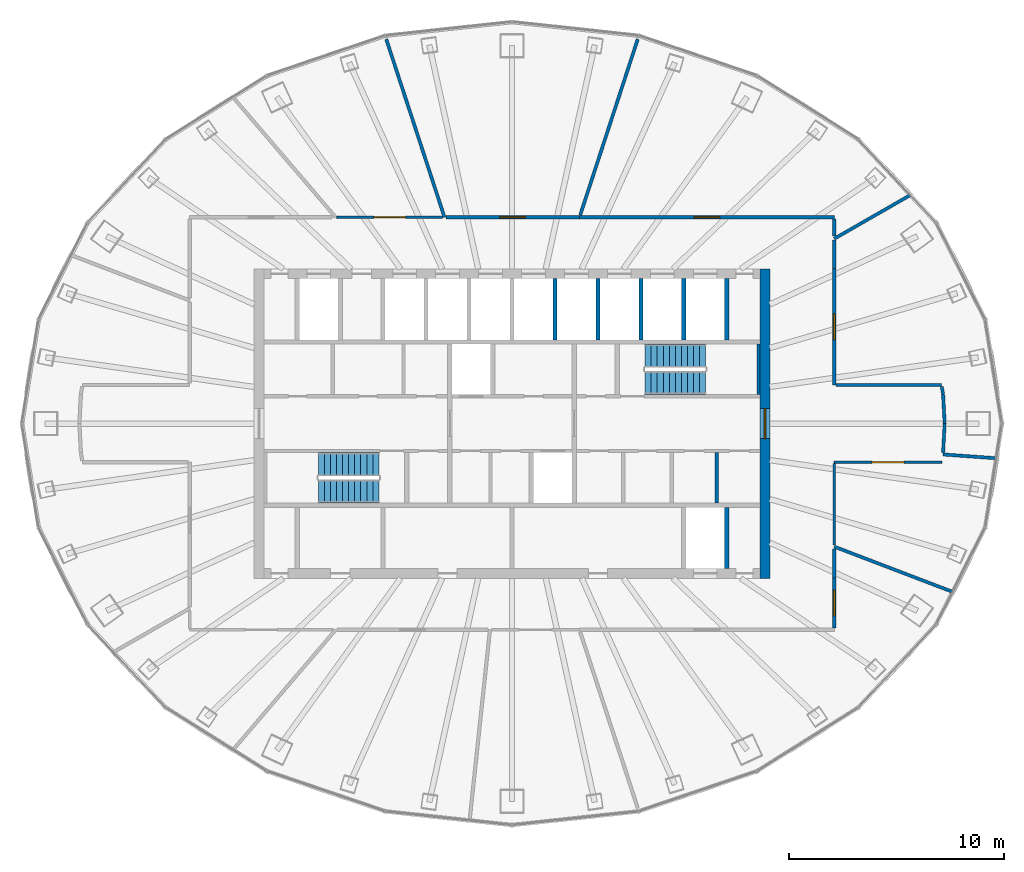
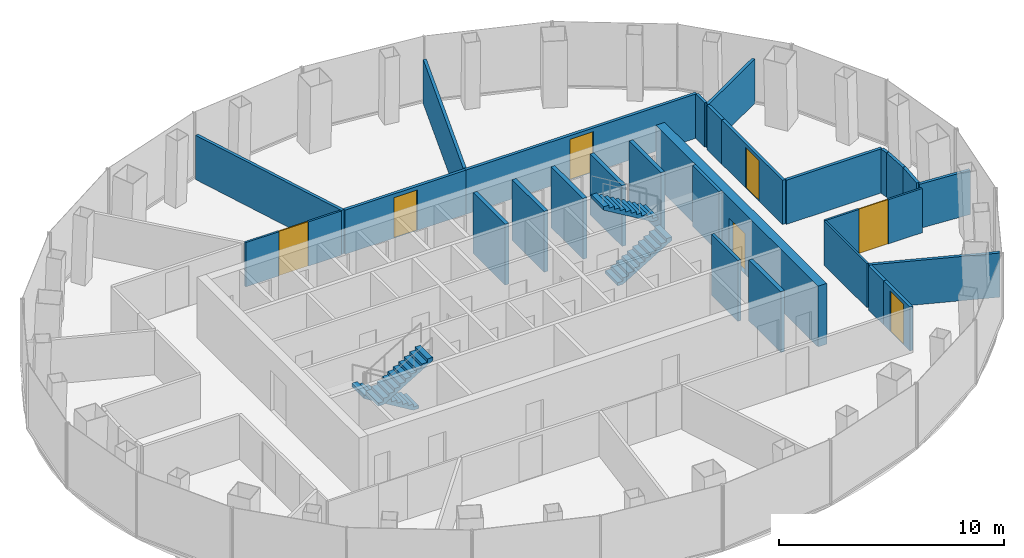
# One storey, part 10 of 11: 28 walls, 7 doors, 4 stair flights, 7 openings, 2 elements without a shape of their own.
"""IFC4 building model written with IfcOpenShell, lengths in metres."""

from ifc_helpers import new_model, si_unit, direction, frame, frame_2d, origin, place, context, subcontext, project, spatial, polyline, rectangle, outline, extrude, material, layer, layer_set, type_object, element, fill, aggregate, save


model = new_model("IFC4")

# Units and contexts
model_context = context("Model", 3, precision=1e-05, world=origin(), true_north=direction((0.0, 1.0)))
body_context = subcontext(model_context, "Body", "Model", "MODEL_VIEW")
ifc_project = project(units=[si_unit("LENGTHUNIT", "METRE"), si_unit("AREAUNIT", "SQUARE_METRE"), si_unit("VOLUMEUNIT", "CUBIC_METRE"), si_unit("PLANEANGLEUNIT", "RADIAN"), si_unit("MASSUNIT", "GRAM", prefix="KILO")], contexts=[model_context])

# Site, building, storey
site_placement = place(None, origin())
site = spatial("IfcSite", under=ifc_project, at=site_placement, CompositionType="ELEMENT")
building_placement = place(site_placement, origin())
building = spatial("IfcBuilding", under=site, at=building_placement, Name="Siaravel Broadcast Tower", CompositionType="ELEMENT")
storey_placement = place(building_placement, frame((0.0, 0.0, 194.10009765625)))
storey = spatial("IfcBuildingStorey", under=building, at=storey_placement, Name="L47", CompositionType="ELEMENT", Elevation=194.10009765625)

# Wall
ifc_material_1 = material(Name="Concrete blockwork", Category="masonry")
ifc_layer_1 = layer(ifc_material_1, 0.14990234375)
ifc_layer_set_1 = layer_set([ifc_layer_1], Name="Concrete blockwork")
wall_type_1 = type_object("IfcWallType", Name="Core partition 150", PredefinedType="PARTITIONING", material=ifc_layer_set_1)
wall_1_placement = place(storey_placement, frame((9.531005859375, -3.699951171875, 0.0), z_axis=(0.0, 0.0, 1.0), x_axis=(0.0, 1.0, 0.0)))
element("IfcWall", 1, at=wall_1_placement, inside=storey, type_object=wall_type_1, Name="L47 core partition PSE2", PredefinedType="PARTITIONING", context=body_context, shape_type="SweptSolid", body=[
    extrude(rectangle(XDim=2.349853515625, YDim=0.14990234375, at=frame_2d((1.1748046875, 0.0))), origin(), (0.0, 0.0, 1.0), 3.2998046875),
])

# Wall, opening, door
ifc_material_2 = material(Name="Concrete C60/75", Category="concrete")
ifc_layer_2 = layer(ifc_material_2, 0.449951171875)
ifc_layer_set_2 = layer_set([ifc_layer_2], Name="Concrete C60/75")
wall_type_2 = type_object("IfcWallType", Name="Core wall 450", PredefinedType="SHEAR", material=ifc_layer_set_2)
wall_2_placement = place(storey_placement, frame((11.77490234375, -7.199951171875, 0.0), z_axis=(0.0, 0.0, 1.0), x_axis=(0.0, 1.0, 0.0)))
wall_2 = element("IfcWall", 2, at=wall_2_placement, inside=storey, type_object=wall_type_2, Name="L47 core wall OE", PredefinedType="SHEAR", context=body_context, shape_type="SweptSolid", body=[
    extrude(rectangle(XDim=14.39990234375, YDim=0.449951171875, at=frame_2d((7.199951171875, 0.0))), origin(), (0.0, 0.0, 1.0), 3.2998046875),
])
opening_1_placement = place(wall_2_placement, frame((6.5, 0.0, 0.0)))
opening_1 = element("IfcOpeningElement", 3, at=opening_1_placement, cuts=wall_2, Name="Opening L47-DX-E", PredefinedType="OPENING", context=body_context, shape_type="SweptSolid", body=[
    extrude(rectangle(XDim=1.39990234375, YDim=2.199951171875, at=frame_2d((0.699951171875, 1.10009765625))), frame((0.0, 0.23486328125, 0.0), z_axis=(0.0, -1.0, 0.0), x_axis=(1.0, 0.0, 0.0)), (0.0, 0.0, 1.0), 0.469970703125),
])
ifc_material_3 = material(Name="Steel", Category="steel")
door_type_1 = type_object("IfcDoorType", Name="Core exit door 1400", OperationType="DOUBLE_DOOR_SINGLE_SWING", PredefinedType="DOOR", material=ifc_material_3)
door_1_placement = place(opening_1_placement, origin())
door_1 = element("IfcDoor", 4, at=door_1_placement, inside=storey, type_object=door_type_1, Name="L47 door DX-E", OperationType="DOUBLE_DOOR_SINGLE_SWING", OverallHeight=2.199951171875, OverallWidth=1.39990234375, PredefinedType="DOOR", context=body_context, shape_type="SweptSolid", body=[
    extrude(rectangle(XDim=1.39990234375, YDim=2.199951171875, at=frame_2d((0.699951171875, 1.10009765625))), frame((0.0, 0.02490234375, 0.0), z_axis=(0.0, -1.0, 0.0), x_axis=(1.0, 0.0, 0.0)), (0.0, 0.0, 1.0), 0.050048828125),
])
fill(opening_1, door_1)

ifc_material_4 = material(Name="Gypsum board partition", Category="gypsum")
ifc_layer_3 = layer(ifc_material_4, 0.14990234375)
ifc_layer_set_3 = layer_set([ifc_layer_3], Name="Gypsum board partition")
wall_type_3 = type_object("IfcWallType", Name="Corridor wall 150", PredefinedType="PARTITIONING", material=ifc_layer_set_3)
wall_3_placement = place(storey_placement, frame((15.0, 9.60009765625, 0.0), z_axis=(0.0, 0.0, 1.0), x_axis=(-1.0, 0.0, 0.0)))
wall_3 = element("IfcWall", 5, at=wall_3_placement, inside=storey, type_object=wall_type_3, Name="L47 partition 2", PredefinedType="PARTITIONING", context=body_context, shape_type="SweptSolid", body=[
    extrude(rectangle(XDim=11.859619140625, YDim=0.14990234375, at=frame_2d((5.9296875, 0.0))), origin(), (0.0, 0.0, 1.0), 2.39990234375),
])
opening_2_placement = place(wall_3_placement, frame((5.329833984375, 0.0, 0.0)))
opening_2 = element("IfcOpeningElement", 6, at=opening_2_placement, cuts=wall_3, Name="Opening L47-007", PredefinedType="OPENING", context=body_context, shape_type="SweptSolid", body=[
    extrude(rectangle(XDim=1.199951171875, YDim=2.199951171875, at=frame_2d((0.60009765625, 1.10009765625))), frame((0.0, 0.0849609375, 0.0), z_axis=(0.0, -1.0, 0.0), x_axis=(1.0, 0.0, 0.0)), (0.0, 0.0, 1.0), 0.169921875),
])
ifc_material_5 = material(Name="Timber veneer", Category="wood")
door_type_2 = type_object("IfcDoorType", Name="Office double door 1200", OperationType="DOUBLE_DOOR_SINGLE_SWING", PredefinedType="DOOR", material=ifc_material_5)
door_2_placement = place(opening_2_placement, origin())
door_2 = element("IfcDoor", 7, at=door_2_placement, inside=storey, type_object=door_type_2, Name="L47 door to Open plan office", OperationType="DOUBLE_DOOR_SINGLE_SWING", OverallHeight=2.199951171875, OverallWidth=1.199951171875, PredefinedType="DOOR", context=body_context, shape_type="SweptSolid", body=[
    extrude(rectangle(XDim=1.199951171875, YDim=2.199951171875, at=frame_2d((0.60009765625, 1.10009765625))), frame((0.0, 0.02490234375, 0.0), z_axis=(0.0, -1.0, 0.0), x_axis=(1.0, 0.0, 0.0)), (0.0, 0.0, 1.0), 0.050048828125),
])
fill(opening_2, door_2)

wall_4_placement = place(storey_placement, frame((3.140380859375, 9.60009765625, 0.0), z_axis=(0.0, 0.0, 1.0), x_axis=(-1.0, 0.0, 0.0)))
wall_4 = element("IfcWall", 8, at=wall_4_placement, inside=storey, type_object=wall_type_3, Name="L47 partition 12", PredefinedType="PARTITIONING", context=body_context, shape_type="SweptSolid", body=[
    extrude(rectangle(XDim=6.20751953125, YDim=0.14990234375, at=frame_2d((3.103759765625, 0.0))), origin(), (0.0, 0.0, 1.0), 2.39990234375),
])
opening_3_placement = place(wall_4_placement, frame((2.503662109375, 0.0, 0.0)))
opening_3 = element("IfcOpeningElement", 9, at=opening_3_placement, cuts=wall_4, Name="Opening L47-008", PredefinedType="OPENING", context=body_context, shape_type="SweptSolid", body=[
    extrude(rectangle(XDim=1.199951171875, YDim=2.199951171875, at=frame_2d((0.60009765625, 1.10009765625))), frame((0.0, 0.0849609375, 0.0), z_axis=(0.0, -1.0, 0.0), x_axis=(1.0, 0.0, 0.0)), (0.0, 0.0, 1.0), 0.169921875),
])
door_3_placement = place(opening_3_placement, origin())
door_3 = element("IfcDoor", 10, at=door_3_placement, inside=storey, type_object=door_type_2, Name="L47 door to Open plan office", OperationType="DOUBLE_DOOR_SINGLE_SWING", OverallHeight=2.199951171875, OverallWidth=1.199951171875, PredefinedType="DOOR", context=body_context, shape_type="SweptSolid", body=[
    extrude(rectangle(XDim=1.199951171875, YDim=2.199951171875, at=frame_2d((0.60009765625, 1.10009765625))), frame((0.0, 0.02490234375, 0.0), z_axis=(0.0, -1.0, 0.0), x_axis=(1.0, 0.0, 0.0)), (0.0, 0.0, 1.0), 0.050048828125),
])
fill(opening_3, door_3)

wall_5_placement = place(storey_placement, frame((15.0, 1.800048828125, 0.0), z_axis=(0.0, 0.0, 1.0), x_axis=(0.0, 1.0, 0.0)))
wall_5 = element("IfcWall", 11, at=wall_5_placement, inside=storey, type_object=wall_type_3, Name="L47 partition 16", PredefinedType="PARTITIONING", context=body_context, shape_type="SweptSolid", body=[
    extrude(rectangle(XDim=5.411865234375, YDim=0.14990234375, at=frame_2d((2.7060546875, 0.0))), origin(), (0.0, 0.0, 1.0), 2.39990234375),
])
opening_4_placement = place(wall_5_placement, frame((2.10595703125, 0.0, 0.0)))
opening_4 = element("IfcOpeningElement", 12, at=opening_4_placement, cuts=wall_5, Name="Opening L47-006", PredefinedType="OPENING", context=body_context, shape_type="SweptSolid", body=[
    extrude(rectangle(XDim=1.199951171875, YDim=2.199951171875, at=frame_2d((0.60009765625, 1.10009765625))), frame((0.0, 0.0849609375, 0.0), z_axis=(0.0, -1.0, 0.0), x_axis=(1.0, 0.0, 0.0)), (0.0, 0.0, 1.0), 0.169921875),
])
door_4_placement = place(opening_4_placement, origin())
door_4 = element("IfcDoor", 13, at=door_4_placement, inside=storey, type_object=door_type_2, Name="L47 door to Open plan office", OperationType="DOUBLE_DOOR_SINGLE_SWING", OverallHeight=2.199951171875, OverallWidth=1.199951171875, PredefinedType="DOOR", context=body_context, shape_type="SweptSolid", body=[
    extrude(rectangle(XDim=1.199951171875, YDim=2.199951171875, at=frame_2d((0.60009765625, 1.10009765625))), frame((0.0, 0.02490234375, 0.0), z_axis=(0.0, -1.0, 0.0), x_axis=(1.0, 0.0, 0.0)), (0.0, 0.0, 1.0), 0.050048828125),
])
fill(opening_4, door_4)

# Wall
wall_6_placement = place(storey_placement, frame((19.9921875, 1.800048828125, 0.0), z_axis=(0.0, 0.0, 1.0), x_axis=(-1.0, 0.0, 0.0)))
element("IfcWall", 14, at=wall_6_placement, inside=storey, type_object=wall_type_3, Name="L47 partition 21", PredefinedType="PARTITIONING", context=body_context, shape_type="SweptSolid", body=[
    extrude(rectangle(XDim=4.915283203125, YDim=0.14990234375, at=frame_2d((2.45751953125, 0.0))), origin(), (0.0, 0.0, 1.0), 2.39990234375),
])

# Wall, opening, door
wall_7_placement = place(storey_placement, frame((15.0, -9.52294921875, 0.0), z_axis=(0.0, 0.0, 1.0), x_axis=(0.0, 1.0, 0.0)))
wall_7 = element("IfcWall", 15, at=wall_7_placement, inside=storey, type_object=wall_type_3, Name="L47 partition 29", PredefinedType="PARTITIONING", context=body_context, shape_type="SweptSolid", body=[
    extrude(rectangle(XDim=2.3349609375, YDim=0.14990234375, at=frame_2d((1.16748046875, 0.0))), origin(), (0.0, 0.0, 1.0), 2.39990234375),
])
opening_5_placement = place(wall_7_placement, frame((0.5673828125, 0.0, 0.0)))
opening_5 = element("IfcOpeningElement", 16, at=opening_5_placement, cuts=wall_7, Name="Opening L47-004", PredefinedType="OPENING", context=body_context, shape_type="SweptSolid", body=[
    extrude(rectangle(XDim=1.199951171875, YDim=2.199951171875, at=frame_2d((0.60009765625, 1.10009765625))), frame((0.0, 0.0849609375, 0.0), z_axis=(0.0, -1.0, 0.0), x_axis=(1.0, 0.0, 0.0)), (0.0, 0.0, 1.0), 0.169921875),
])
door_5_placement = place(opening_5_placement, origin())
door_5 = element("IfcDoor", 17, at=door_5_placement, inside=storey, type_object=door_type_2, Name="L47 door to Open plan office", OperationType="DOUBLE_DOOR_SINGLE_SWING", OverallHeight=2.199951171875, OverallWidth=1.199951171875, PredefinedType="DOOR", context=body_context, shape_type="SweptSolid", body=[
    extrude(rectangle(XDim=1.199951171875, YDim=2.199951171875, at=frame_2d((0.60009765625, 1.10009765625))), frame((0.0, 0.02490234375, 0.0), z_axis=(0.0, -1.0, 0.0), x_axis=(1.0, 0.0, 0.0)), (0.0, 0.0, 1.0), 0.050048828125),
])
fill(opening_5, door_5)

# Walls
wall_8_placement = place(storey_placement, frame((15.0, -7.18701171875, 0.0), z_axis=(0.0, 0.0, 1.0), x_axis=(0.0, 1.0, 0.0)))
element("IfcWall", 18, at=wall_8_placement, inside=storey, type_object=wall_type_3, Name="L47 partition 30", PredefinedType="PARTITIONING", context=body_context, shape_type="SweptSolid", body=[
    extrude(rectangle(XDim=1.3466796875, YDim=0.14990234375, at=frame_2d((0.67333984375, 0.0))), origin(), (0.0, 0.0, 1.0), 2.39990234375),
])
wall_9_placement = place(storey_placement, frame((20.064208984375, -1.360595703125, 0.0), z_axis=(0.0, 0.0, 1.0), x_axis=(0.053217143, 0.998582964, 0.0)))
element("IfcWall", 19, at=wall_9_placement, inside=storey, type_object=wall_type_3, Name="L47 partition 32", PredefinedType="PARTITIONING", context=body_context, shape_type="SweptSolid", body=[
    extrude(rectangle(XDim=1.362548828125, YDim=0.14990234375, at=frame_2d((0.68115234375, 0.0))), origin(), (0.0, 0.0, 1.0), 2.39990234375),
])
wall_10_placement = place(storey_placement, frame((15.0, 7.212890625, 0.0), z_axis=(0.0, 0.0, 1.0), x_axis=(0.0, 1.0, 0.0)))
element("IfcWall", 20, at=wall_10_placement, inside=storey, type_object=wall_type_3, Name="L47 partition 34", PredefinedType="PARTITIONING", context=body_context, shape_type="SweptSolid", body=[
    extrude(rectangle(XDim=1.3232421875, YDim=0.14990234375, at=frame_2d((0.66162109375, 0.0))), origin(), (0.0, 0.0, 1.0), 2.39990234375),
])
wall_11_placement = place(storey_placement, frame((20.13623046875, 0.010009765625, 0.0), z_axis=(0.0, 0.0, 1.0), x_axis=(-0.053267345, 0.998580287, 0.0)))
element("IfcWall", 21, at=wall_11_placement, inside=storey, type_object=wall_type_3, Name="L47 partition 37", PredefinedType="PARTITIONING", context=body_context, shape_type="SweptSolid", body=[
    extrude(rectangle(XDim=1.33837890625, YDim=0.14990234375, at=frame_2d((0.669189453125, 0.0))), origin(), (0.0, 0.0, 1.0), 2.39990234375),
])
wall_12_placement = place(storey_placement, frame((15.0, 8.734619140625, 0.0), z_axis=(0.0, 0.0, 1.0), x_axis=(0.0, 1.0, 0.0)))
element("IfcWall", 22, at=wall_12_placement, inside=storey, type_object=wall_type_3, Name="L47 partition 39", PredefinedType="PARTITIONING", context=body_context, shape_type="SweptSolid", body=[
    extrude(rectangle(XDim=0.788330078125, YDim=0.14990234375, at=frame_2d((0.39404296875, 0.0))), origin(), (0.0, 0.0, 1.0), 2.39990234375),
])
wall_13_placement = place(storey_placement, frame((20.0634765625, 1.356201171875, 0.0), z_axis=(0.0, 0.0, 1.0), x_axis=(-0.158882963, 0.987297424, 0.0)))
element("IfcWall", 23, at=wall_13_placement, inside=storey, type_object=wall_type_3, Name="L47 partition 42", PredefinedType="PARTITIONING", context=body_context, shape_type="SweptSolid", body=[
    extrude(rectangle(XDim=0.373291015625, YDim=0.14990234375, at=frame_2d((0.1865234375, 0.0))), origin(), (0.0, 0.0, 1.0), 2.39990234375),
])

# Wall, opening, door
ifc_material_6 = material(Name="Glazed aluminium partition", Category="aluminium")
ifc_layer_4 = layer(ifc_material_6, 0.10009765625)
ifc_layer_set_4 = layer_set([ifc_layer_4], Name="Glazed aluminium partition")
wall_type_4 = type_object("IfcWallType", Name="Glazed meeting room partition 100", PredefinedType="PARTITIONING", material=ifc_layer_set_4)
wall_14_placement = place(storey_placement, frame((-3.237548828125, 9.60009765625, 0.0), z_axis=(0.0, 0.0, 1.0), x_axis=(-1.0, 0.0, 0.0)))
wall_14 = element("IfcWall", 24, at=wall_14_placement, inside=storey, type_object=wall_type_4, Name="L47 partition 17", PredefinedType="PARTITIONING", context=body_context, shape_type="SweptSolid", body=[
    extrude(rectangle(XDim=4.909912109375, YDim=0.10009765625, at=frame_2d((2.455078125, 0.0))), origin(), (0.0, 0.0, 1.0), 2.39990234375),
])
opening_6_placement = place(wall_14_placement, frame((1.704833984375, 0.0, 0.0)))
opening_6 = element("IfcOpeningElement", 25, at=opening_6_placement, cuts=wall_14, Name="Opening L47-009", PredefinedType="OPENING", context=body_context, shape_type="SweptSolid", body=[
    extrude(rectangle(XDim=1.5, YDim=2.39990234375, at=frame_2d((0.75, 1.199951171875))), frame((0.0, 0.06005859375, 0.0), z_axis=(0.0, -1.0, 0.0), x_axis=(1.0, 0.0, 0.0)), (0.0, 0.0, 1.0), 0.1201171875),
])
door_type_3 = type_object("IfcDoorType", Name="Conference double door 1500", OperationType="DOUBLE_DOOR_SINGLE_SWING", PredefinedType="DOOR", material=ifc_material_5)
door_6_placement = place(opening_6_placement, origin())
door_6 = element("IfcDoor", 26, at=door_6_placement, inside=storey, type_object=door_type_3, Name="L47 door to Training room", OperationType="DOUBLE_DOOR_SINGLE_SWING", OverallHeight=2.39990234375, OverallWidth=1.5, PredefinedType="DOOR", context=body_context, shape_type="SweptSolid", body=[
    extrude(rectangle(XDim=1.5, YDim=2.39990234375, at=frame_2d((0.75, 1.199951171875))), frame((0.0, 0.02490234375, 0.0), z_axis=(0.0, -1.0, 0.0), x_axis=(1.0, 0.0, 0.0)), (0.0, 0.0, 1.0), 0.050048828125),
])
fill(opening_6, door_6)

wall_15_placement = place(storey_placement, frame((15.0, -1.800048828125, 0.0), z_axis=(0.0, 0.0, 1.0), x_axis=(1.0, 0.0, 0.0)))
wall_15 = element("IfcWall", 27, at=wall_15_placement, inside=storey, type_object=wall_type_4, Name="L47 partition 20", PredefinedType="PARTITIONING", context=body_context, shape_type="SweptSolid", body=[
    extrude(rectangle(XDim=4.9921875, YDim=0.10009765625, at=frame_2d((2.49609375, 0.0))), origin(), (0.0, 0.0, 1.0), 2.39990234375),
])
opening_7_placement = place(wall_15_placement, frame((1.74609375, 0.0, 0.0)))
opening_7 = element("IfcOpeningElement", 28, at=opening_7_placement, cuts=wall_15, Name="Opening L47-005", PredefinedType="OPENING", context=body_context, shape_type="SweptSolid", body=[
    extrude(rectangle(XDim=1.5, YDim=2.39990234375, at=frame_2d((0.75, 1.199951171875))), frame((0.0, 0.06005859375, 0.0), z_axis=(0.0, -1.0, 0.0), x_axis=(1.0, 0.0, 0.0)), (0.0, 0.0, 1.0), 0.1201171875),
])
door_7_placement = place(opening_7_placement, origin())
door_7 = element("IfcDoor", 29, at=door_7_placement, inside=storey, type_object=door_type_3, Name="L47 door to Conference room", OperationType="DOUBLE_DOOR_SINGLE_SWING", OverallHeight=2.39990234375, OverallWidth=1.5, PredefinedType="DOOR", context=body_context, shape_type="SweptSolid", body=[
    extrude(rectangle(XDim=1.5, YDim=2.39990234375, at=frame_2d((0.75, 1.199951171875))), frame((0.0, 0.02490234375, 0.0), z_axis=(0.0, -1.0, 0.0), x_axis=(1.0, 0.0, 0.0)), (0.0, 0.0, 1.0), 0.050048828125),
])
fill(opening_7, door_7)

# Walls
wall_16_placement = place(storey_placement, frame((15.0, -5.6572265625, 0.0), z_axis=(0.0, 0.0, 1.0), x_axis=(0.0, 1.0, 0.0)))
element("IfcWall", 30, at=wall_16_placement, inside=storey, type_object=wall_type_4, Name="L47 partition 26", PredefinedType="PARTITIONING", context=body_context, shape_type="SweptSolid", body=[
    extrude(rectangle(XDim=3.80517578125, YDim=0.10009765625, at=frame_2d((1.902587890625, 0.0))), origin(), (0.0, 0.0, 1.0), 2.39990234375),
])
ifc_layer_5 = layer(ifc_material_4, 0.14990234375)
ifc_layer_set_5 = layer_set([ifc_layer_5], Name="Gypsum board partition")
wall_type_5 = type_object("IfcWallType", Name="Room partition 150", PredefinedType="PARTITIONING", material=ifc_layer_set_5)
wall_17_placement = place(storey_placement, frame((-5.853515625, 17.893798828125, 0.0), z_axis=(0.0, 0.0, 1.0), x_axis=(0.310918216, -0.95043667, 0.0)))
element("IfcWall", 31, at=wall_17_placement, inside=storey, type_object=wall_type_5, Name="L47 partition 4", PredefinedType="PARTITIONING", context=body_context, shape_type="SweptSolid", body=[
    extrude(rectangle(XDim=8.726318359375, YDim=0.14990234375, at=frame_2d((4.36328125, 0.0))), origin(), (0.0, 0.0, 1.0), 2.39990234375),
])
wall_18_placement = place(storey_placement, frame((5.853271484375, 17.892822265625, 0.0), z_axis=(0.0, 0.0, 1.0), x_axis=(-0.310929285, -0.950433049, 0.0)))
element("IfcWall", 32, at=wall_18_placement, inside=storey, type_object=wall_type_5, Name="L47 partition 6", PredefinedType="PARTITIONING", context=body_context, shape_type="SweptSolid", body=[
    extrude(rectangle(XDim=8.619873046875, YDim=0.14990234375, at=frame_2d((4.31005859375, 0.0))), origin(), (0.0, 0.0, 1.0), 2.39990234375),
])
wall_19_placement = place(storey_placement, frame((20.515380859375, -7.8359375, 0.0), z_axis=(0.0, 0.0, 1.0), x_axis=(-0.934186062, 0.356786213, 0.0)))
element("IfcWall", 33, at=wall_19_placement, inside=storey, type_object=wall_type_5, Name="L47 partition 14", PredefinedType="PARTITIONING", context=body_context, shape_type="SweptSolid", body=[
    extrude(rectangle(XDim=5.904052734375, YDim=0.14990234375, at=frame_2d((2.9521484375, 0.0))), origin(), (0.0, 0.0, 1.0), 2.39990234375),
])
wall_20_placement = place(storey_placement, frame((18.537109375, 10.632080078125, 0.0), z_axis=(0.0, 0.0, 1.0), x_axis=(-0.867438786, -0.49754392, 0.0)))
element("IfcWall", 34, at=wall_20_placement, inside=storey, type_object=wall_type_5, Name="L47 partition 24", PredefinedType="PARTITIONING", context=body_context, shape_type="SweptSolid", body=[
    extrude(rectangle(XDim=4.07763671875, YDim=0.14990234375, at=frame_2d((2.038818359375, 0.0))), origin(), (0.0, 0.0, 1.0), 2.39990234375),
])
wall_21_placement = place(storey_placement, frame((22.55419921875, -1.6162109375, 0.0), z_axis=(0.0, 0.0, 1.0), x_axis=(-0.997442317, 0.071476043, 0.0)))
element("IfcWall", 35, at=wall_21_placement, inside=storey, type_object=wall_type_5, Name="L47 partition 27", PredefinedType="PARTITIONING", context=body_context, shape_type="SweptSolid", body=[
    extrude(rectangle(XDim=2.500244140625, YDim=0.14990234375, at=frame_2d((1.25, 0.0))), origin(), (0.0, 0.0, 1.0), 2.39990234375),
])
ifc_layer_6 = layer(ifc_material_2, 0.14990234375)
ifc_layer_set_6 = layer_set([ifc_layer_6], Name="Concrete C60/75")
wall_type_6 = type_object("IfcWallType", Name="Shaft wall 150", PredefinedType="SHEAR", material=ifc_layer_set_6)
wall_22_placement = place(storey_placement, frame((11.47509765625, 1.35009765625, 0.0), z_axis=(0.0, 0.0, 1.0), x_axis=(0.0, 1.0, 0.0)))
element("IfcWall", 36, at=wall_22_placement, inside=storey, type_object=wall_type_6, Name="L47 core wall ST2E", PredefinedType="SHEAR", context=body_context, shape_type="SweptSolid", body=[
    extrude(rectangle(XDim=2.349853515625, YDim=0.14990234375, at=frame_2d((1.1748046875, 0.0))), origin(), (0.0, 0.0, 1.0), 3.2998046875),
])
ifc_layer_7 = layer(ifc_material_2, 0.199951171875)
ifc_layer_set_7 = layer_set([ifc_layer_7], Name="Concrete C60/75")
wall_type_7 = type_object("IfcWallType", Name="Shaft wall 200", PredefinedType="SHEAR", material=ifc_layer_set_7)
for number, where, z_axis, x_axis, name in (
    (37, (10.0, -6.75, 0.0), (0.0, 0.0, 1.0), (0.0, 1.0, 0.0), "L47 core wall SWS10"),
    (38, (2.0, 3.89990234375, 0.0), (0.0, 0.0, 1.0), (0.0, 1.0, 0.0), "L47 core wall SWN6"),
    (39, (4.0, 3.89990234375, 0.0), (0.0, 0.0, 1.0), (0.0, 1.0, 0.0), "L47 core wall SWN7"),
    (40, (6.0, 3.89990234375, 0.0), (0.0, 0.0, 1.0), (0.0, 1.0, 0.0), "L47 core wall SWN8"),
    (41, (8.0, 3.89990234375, 0.0), (0.0, 0.0, 1.0), (0.0, 1.0, 0.0), "L47 core wall SWN9"),
    (42, (10.0, 3.89990234375, 0.0), (0.0, 0.0, 1.0), (0.0, 1.0, 0.0), "L47 core wall SWN10"),
):
    element("IfcWall", number, at=place(storey_placement, frame(where, z_axis=z_axis, x_axis=x_axis)), inside=storey, type_object=wall_type_7, Name=name, PredefinedType="SHEAR", context=body_context, shape_type="SweptSolid", body=[
        extrude(rectangle(XDim=2.85009765625, YDim=0.199951171875, at=frame_2d((1.425048828125, 0.0))), origin(), (0.0, 0.0, 1.0), 3.2998046875),
    ])

# Stair, stair flights
ifc_material_7 = material(Name="Concrete C40/50", Category="concrete")
stair_type = type_object("IfcStairType", Name="Core exit stair", PredefinedType="HALF_TURN_STAIR", material=ifc_material_7)
stair_1_placement = place(storey_placement, origin())
stair_1 = element("IfcStair", 43, at=stair_1_placement, inside=storey, type_object=stair_type, Name="L47 Exit stair ST-1", PredefinedType="HALF_TURN_STAIR")
stair_flight_type = type_object("IfcStairFlightType", Name="Stair flight 1100", PredefinedType="STRAIGHT", material=ifc_material_7)
stair_flight_1_placement = place(storey_placement, frame((-6.199951171875, -1.89990234375, 0.0), z_axis=(0.0, 0.0, 1.0), x_axis=(-1.0, 0.0, 0.0)))
stair_flight_1 = element("IfcStairFlight", 44, at=stair_flight_1_placement, type_object=stair_flight_type, Name="ST-1 flight 1", NumberOfRisers=11, NumberOfTreads=10, PredefinedType="STRAIGHT", RiserHeight=0.1681818, TreadLength=0.28, context=body_context, shape_type="SweptSolid", body=[
    extrude(outline(polyline([(0.0, 0.0), (0.0, 0.168212890625), (0.280029296875, 0.168212890625), (0.280029296875, 0.33642578125), (0.56005859375, 0.33642578125), (0.56005859375, 0.504638671875), (0.840087890625, 0.504638671875), (0.840087890625, 0.672607421875), (1.1201171875, 0.672607421875), (1.1201171875, 0.8408203125), (1.39990234375, 0.8408203125), (1.39990234375, 1.009033203125), (1.679931640625, 1.009033203125), (1.679931640625, 1.17724609375), (1.9599609375, 1.17724609375), (1.9599609375, 1.345458984375), (2.239990234375, 1.345458984375), (2.239990234375, 1.513671875), (2.52001953125, 1.513671875), (2.52001953125, 1.681884765625), (2.800048828125, 1.681884765625), (2.800048828125, 1.85009765625), (2.800048828125, 1.5068359375), (0.291015625, 0.0), (0.0, 0.0)])), frame((0.0, 0.550048828125, 0.0), z_axis=(0.0, -1.0, 0.0), x_axis=(1.0, 0.0, 0.0)), (0.0, 0.0, 1.0), 1.10009765625),
])
stair_flight_2_placement = place(storey_placement, frame((-9.0, -3.14990234375, 1.849853515625), z_axis=(0.0, 0.0, 1.0), x_axis=(1.0, 0.0, 0.0)))
stair_flight_2 = element("IfcStairFlight", 45, at=stair_flight_2_placement, type_object=stair_flight_type, Name="ST-1 flight 2", NumberOfRisers=11, NumberOfTreads=10, PredefinedType="STRAIGHT", RiserHeight=0.1681818, TreadLength=0.28, context=body_context, shape_type="SweptSolid", body=[
    extrude(outline(polyline([(0.0, 0.0), (0.0, 0.168212890625), (0.280029296875, 0.168212890625), (0.280029296875, 0.33642578125), (0.56005859375, 0.33642578125), (0.56005859375, 0.504638671875), (0.840087890625, 0.504638671875), (0.840087890625, 0.672607421875), (1.1201171875, 0.672607421875), (1.1201171875, 0.8408203125), (1.39990234375, 0.8408203125), (1.39990234375, 1.009033203125), (1.679931640625, 1.009033203125), (1.679931640625, 1.17724609375), (1.9599609375, 1.17724609375), (1.9599609375, 1.345458984375), (2.239990234375, 1.345458984375), (2.239990234375, 1.513671875), (2.52001953125, 1.513671875), (2.52001953125, 1.681884765625), (2.800048828125, 1.681884765625), (2.800048828125, 1.85009765625), (2.800048828125, 1.5068359375), (0.291015625, 0.0), (0.0, 0.0)])), frame((0.0, 0.550048828125, 0.0), z_axis=(0.0, -1.0, 0.0), x_axis=(1.0, 0.0, 0.0)), (0.0, 0.0, 1.0), 1.10009765625),
])
aggregate(stair_1, [stair_flight_1, stair_flight_2])

stair_2_placement = place(storey_placement, origin())
stair_2 = element("IfcStair", 46, at=stair_2_placement, inside=storey, type_object=stair_type, Name="L47 Exit stair ST-2", PredefinedType="HALF_TURN_STAIR")
stair_flight_3_placement = place(storey_placement, frame((6.199951171875, 1.89990234375, 0.0), z_axis=(0.0, 0.0, 1.0), x_axis=(1.0, 0.0, 0.0)))
stair_flight_3 = element("IfcStairFlight", 47, at=stair_flight_3_placement, type_object=stair_flight_type, Name="ST-2 flight 1", NumberOfRisers=11, NumberOfTreads=10, PredefinedType="STRAIGHT", RiserHeight=0.1681818, TreadLength=0.28, context=body_context, shape_type="SweptSolid", body=[
    extrude(outline(polyline([(0.0, 0.0), (0.0, 0.168212890625), (0.280029296875, 0.168212890625), (0.280029296875, 0.33642578125), (0.56005859375, 0.33642578125), (0.56005859375, 0.504638671875), (0.840087890625, 0.504638671875), (0.840087890625, 0.672607421875), (1.1201171875, 0.672607421875), (1.1201171875, 0.8408203125), (1.39990234375, 0.8408203125), (1.39990234375, 1.009033203125), (1.679931640625, 1.009033203125), (1.679931640625, 1.17724609375), (1.9599609375, 1.17724609375), (1.9599609375, 1.345458984375), (2.239990234375, 1.345458984375), (2.239990234375, 1.513671875), (2.52001953125, 1.513671875), (2.52001953125, 1.681884765625), (2.800048828125, 1.681884765625), (2.800048828125, 1.85009765625), (2.800048828125, 1.5068359375), (0.291015625, 0.0), (0.0, 0.0)])), frame((0.0, 0.550048828125, 0.0), z_axis=(0.0, -1.0, 0.0), x_axis=(1.0, 0.0, 0.0)), (0.0, 0.0, 1.0), 1.10009765625),
])
stair_flight_4_placement = place(storey_placement, frame((9.0, 3.14990234375, 1.849853515625), z_axis=(0.0, 0.0, 1.0), x_axis=(-1.0, 0.0, 0.0)))
stair_flight_4 = element("IfcStairFlight", 48, at=stair_flight_4_placement, type_object=stair_flight_type, Name="ST-2 flight 2", NumberOfRisers=11, NumberOfTreads=10, PredefinedType="STRAIGHT", RiserHeight=0.1681818, TreadLength=0.28, context=body_context, shape_type="SweptSolid", body=[
    extrude(outline(polyline([(0.0, 0.0), (0.0, 0.168212890625), (0.280029296875, 0.168212890625), (0.280029296875, 0.33642578125), (0.56005859375, 0.33642578125), (0.56005859375, 0.504638671875), (0.840087890625, 0.504638671875), (0.840087890625, 0.672607421875), (1.1201171875, 0.672607421875), (1.1201171875, 0.8408203125), (1.39990234375, 0.8408203125), (1.39990234375, 1.009033203125), (1.679931640625, 1.009033203125), (1.679931640625, 1.17724609375), (1.9599609375, 1.17724609375), (1.9599609375, 1.345458984375), (2.239990234375, 1.345458984375), (2.239990234375, 1.513671875), (2.52001953125, 1.513671875), (2.52001953125, 1.681884765625), (2.800048828125, 1.681884765625), (2.800048828125, 1.85009765625), (2.800048828125, 1.5068359375), (0.291015625, 0.0), (0.0, 0.0)])), frame((0.0, 0.550048828125, 0.0), z_axis=(0.0, -1.0, 0.0), x_axis=(1.0, 0.0, 0.0)), (0.0, 0.0, 1.0), 1.10009765625),
])
aggregate(stair_2, [stair_flight_3, stair_flight_4])

save(model, "model.ifc")
